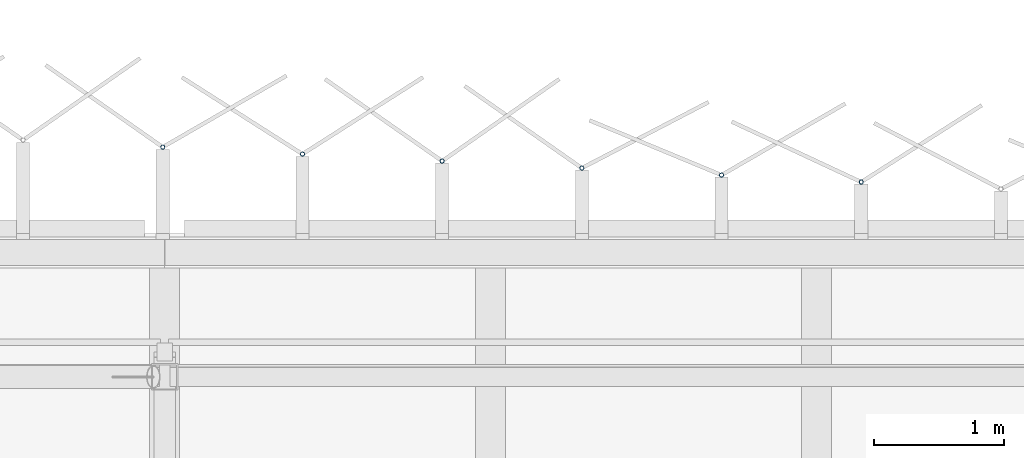
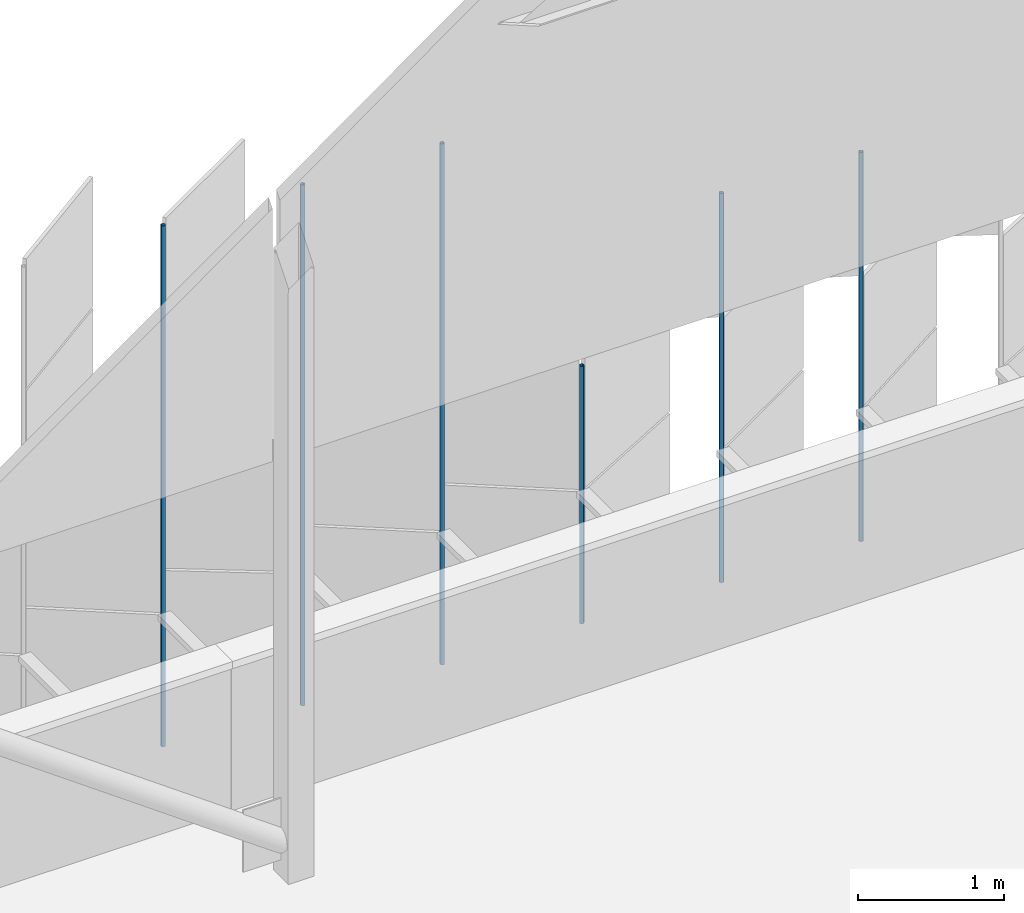
# One storey, part 335 of 483: 6 discrete accessories.
"""IFC4 building model written with IfcOpenShell, lengths in metres."""

from ifc_helpers import new_model, si_unit, direction, frame, origin, origin_2d, place, context, subcontext, project, spatial, hollow_circle, extrude, material, material_profile, profile_set, type_object, element, save


model = new_model("IFC4")

# Units and contexts
model_context = context("Model", 3, precision=1e-05, world=origin(), true_north=direction((0.0, 1.0)))
body_context = subcontext(model_context, "Body", "Model", "MODEL_VIEW")
ifc_project = project(units=[si_unit("LENGTHUNIT", "METRE"), si_unit("AREAUNIT", "SQUARE_METRE"), si_unit("VOLUMEUNIT", "CUBIC_METRE"), si_unit("PLANEANGLEUNIT", "RADIAN"), si_unit("MASSUNIT", "GRAM", prefix="KILO")], contexts=[model_context])

# Site, building, storey
site_placement = place(None, origin())
site = spatial("IfcSite", under=ifc_project, at=site_placement, CompositionType="ELEMENT")
building_placement = place(site_placement, origin())
building = spatial("IfcBuilding", under=site, at=building_placement, Name="Parallax Yard Mobility Hub", CompositionType="ELEMENT")
storey_placement = place(building_placement, frame((0.0, 0.0, 13.199951171875)))
storey = spatial("IfcBuildingStorey", under=building, at=storey_placement, Name="L04", CompositionType="ELEMENT", Elevation=13.199951171875)

# Discrete accessories
ifc_material = material(Name="Steel ASTM A500 Gr C, hot-dip galvanised", Category="steel")
ifc_material_profile = material_profile(ifc_material, hollow_circle(Radius=0.016845703125, WallThickness=0.003173828125, at=origin_2d()), Name="CHS 33.7x3.2")
ifc_profile_set = profile_set([ifc_material_profile], Name="Steel ASTM A500 Gr C, hot-dip galvanised")
discrete_accessory_type = type_object("IfcDiscreteAccessoryType", Name="Hinge post CHS 33.7x3.2", PredefinedType="BRACKET", material=ifc_profile_set)
for number, where, z_axis, x_axis, name in (
    (1, (42.84375, 142.894775390625, 0.0), (0.0, 0.0, 1.0), (1.0, 0.0, 0.0), "Hinge post bay 68.3 level L04"),
    (2, (41.772216796875, 142.9482421875, 0.0), (0.0, 0.0, 1.0), (1.0, 0.0, 0.0), "Hinge post bay 68.4 level L04"),
):
    element("IfcDiscreteAccessory", number, at=place(storey_placement, frame(where, z_axis=z_axis, x_axis=x_axis)), inside=storey, type_object=discrete_accessory_type, Name=name, PredefinedType="BRACKET", context=body_context, shape_type="SweptSolid", body=[
        extrude(hollow_circle(Radius=0.016845703125, WallThickness=0.003173828125, at=origin_2d()), origin(), (0.0, 0.0, 1.0), 3.25),
    ])
discrete_accessory_placement = place(storey_placement, frame((40.700439453125, 143.001708984375, 0.0), z_axis=(0.0, 0.0, 1.0), x_axis=(1.0, 0.0, 0.0)))
element("IfcDiscreteAccessory", 3, at=discrete_accessory_placement, inside=storey, type_object=discrete_accessory_type, Name="Hinge post bay 68.5 level L04", PredefinedType="BRACKET", context=body_context, shape_type="SweptSolid", body=[
    extrude(hollow_circle(Radius=0.016845703125, WallThickness=0.003173828125, at=origin_2d()), origin(), (0.0, 0.0, 1.0), 2.150146484375),
])
for number, where, z_axis, x_axis, name in (
    (4, (39.62890625, 143.055419921875, 0.0), (0.0, 0.0, 1.0), (1.0, 0.0, 0.0), "Hinge post bay 68.6 level L04"),
    (5, (38.557373046875, 143.10888671875, 0.0), (0.0, 0.0, 1.0), (1.0, 0.0, 0.0), "Hinge post bay 68.7 level L04"),
    (6, (37.48583984375, 143.16259765625, 0.0), (0.0, 0.0, 1.0), (1.0, 0.0, 0.0), "Hinge post bay 69.1 level L04"),
):
    element("IfcDiscreteAccessory", number, at=place(storey_placement, frame(where, z_axis=z_axis, x_axis=x_axis)), inside=storey, type_object=discrete_accessory_type, Name=name, PredefinedType="BRACKET", context=body_context, shape_type="SweptSolid", body=[
        extrude(hollow_circle(Radius=0.016845703125, WallThickness=0.003173828125, at=origin_2d()), origin(), (0.0, 0.0, 1.0), 4.35009765625),
    ])

save(model, "model.ifc")
